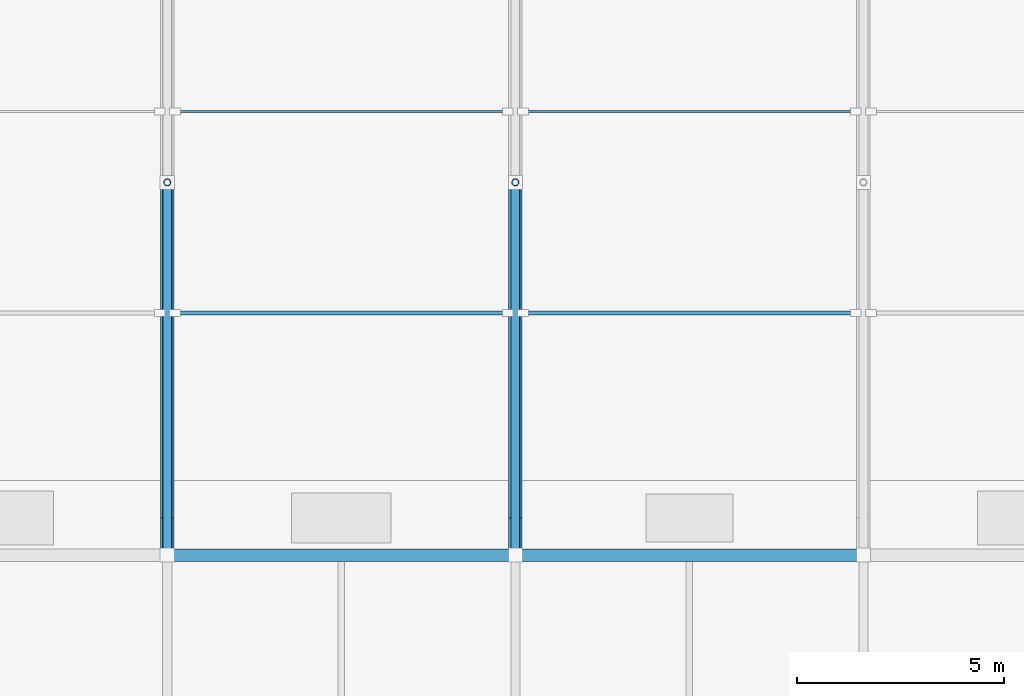
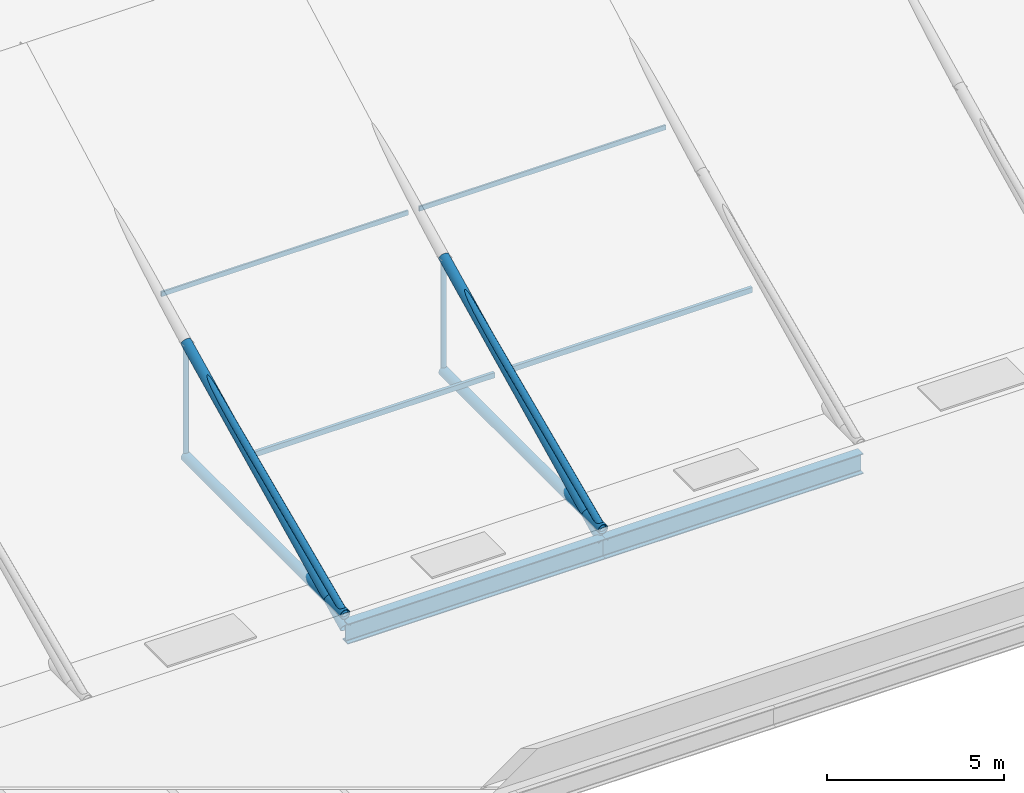
# One storey, part 10 of 38: 12 members, 2 beams.
"""IFC4 building model written with IfcOpenShell, lengths in metres."""

from ifc_helpers import new_model, si_unit, direction, frame, origin, origin_2d, place, context, subcontext, project, spatial, hollow_rectangle, hollow_circle, i_section, extrude, material, material_profile, profile_set, type_object, element, save


model = new_model("IFC4")

# Units and contexts
model_context = context("Model", 3, precision=1e-05, world=origin(), true_north=direction((0.0, 1.0)))
body_context = subcontext(model_context, "Body", "Model", "MODEL_VIEW")
ifc_project = project(units=[si_unit("LENGTHUNIT", "METRE"), si_unit("AREAUNIT", "SQUARE_METRE"), si_unit("VOLUMEUNIT", "CUBIC_METRE"), si_unit("PLANEANGLEUNIT", "RADIAN"), si_unit("MASSUNIT", "GRAM", prefix="KILO")], contexts=[model_context])

# Site, building, storey
site_placement = place(None, origin())
site = spatial("IfcSite", under=ifc_project, at=site_placement, CompositionType="ELEMENT")
building_placement = place(site_placement, origin())
building = spatial("IfcBuilding", under=site, at=building_placement, Name="Veltarok Museum of Natural Sciences", CompositionType="ELEMENT")
storey_placement = place(building_placement, frame((0.0, 0.0, 31.199951171875)))
storey = spatial("IfcBuildingStorey", under=building, at=storey_placement, Name="RF", CompositionType="ELEMENT", Elevation=31.199951171875)

# Members
ifc_material_1 = material(Name="Steel S355J2", Category="steel")
ifc_material_profile_1 = material_profile(ifc_material_1, hollow_rectangle(XDim=0.10009765625, YDim=0.179931640625, WallThickness=0.008056640625, at=origin_2d()), Name="RHS 180x100x8")
ifc_profile_set_1 = profile_set([ifc_material_profile_1], Name="Steel S355J2")
member_type_1 = type_object("IfcMemberType", Name="Heavy Valley Roof Purlin RHS 180x100x8", PredefinedType="PURLIN", material=ifc_profile_set_1)
for number, where, z_axis, x_axis, name in (
    (1, (65.3798828125, 41.85009765625, -3.950439453125), (1.0, 0.0, 0.0), (0.0, 1.0, 0.0), "Sawtooth Purlin 8-9 M1"),
    (2, (73.780029296875, 41.85009765625, -3.950439453125), (1.0, 0.0, 0.0), (0.0, 1.0, 0.0), "Sawtooth Purlin 9-10 M1"),
):
    element("IfcMember", number, at=place(storey_placement, frame(where, z_axis=z_axis, x_axis=x_axis)), inside=storey, type_object=member_type_1, Name=name, PredefinedType="PURLIN", context=body_context, shape_type="SweptSolid", body=[
        extrude(hollow_rectangle(XDim=0.10009765625, YDim=0.179931640625, WallThickness=0.008056640625, at=origin_2d()), origin(), (0.0, 0.0, 1.0), 8.0400390625),
    ])

# Beams
ifc_material_profile_2 = material_profile(ifc_material_1, i_section(OverallWidth=0.300048828125, OverallDepth=0.699951171875, WebThickness=0.01708984375, FlangeThickness=0.031982421875, FilletRadius=0.027099609375, at=origin_2d()), Name="HEB 700")
ifc_profile_set_2 = profile_set([ifc_material_profile_2], Name="Steel S355J2")
beam_type = type_object("IfcBeamType", Name="Long-Span Hall Girder HEB 700", PredefinedType="BEAM", material=ifc_profile_set_2)
beam_1_placement = place(storey_placement, frame((65.199951171875, 36.0, -6.389892578125), z_axis=(1.0, 0.0, 0.0), x_axis=(0.0, 1.0, 0.0)))
element("IfcBeam", 3, at=beam_1_placement, inside=storey, type_object=beam_type, Name="Sawtooth Valley Girder 8-9 Y=36.0", PredefinedType="BEAM", context=body_context, shape_type="SweptSolid", body=[
    extrude(i_section(OverallWidth=0.300048828125, OverallDepth=0.699951171875, WebThickness=0.01708984375, FlangeThickness=0.031982421875, FilletRadius=0.027099609375, at=origin_2d()), origin(), (0.0, 0.0, 1.0), 8.400146484375),
])
beam_2_placement = place(storey_placement, frame((73.60009765625, 36.0, -6.389892578125), z_axis=(1.0, 0.0, 0.0), x_axis=(0.0, 1.0, 0.0)))
element("IfcBeam", 4, at=beam_2_placement, inside=storey, type_object=beam_type, Name="Sawtooth Valley Girder 9-10 Y=36.0", PredefinedType="BEAM", context=body_context, shape_type="SweptSolid", body=[
    extrude(i_section(OverallWidth=0.300048828125, OverallDepth=0.699951171875, WebThickness=0.01708984375, FlangeThickness=0.031982421875, FilletRadius=0.027099609375, at=origin_2d()), origin(), (0.0, 0.0, 1.0), 8.39990234375),
])

# Members
ifc_material_profile_3 = material_profile(ifc_material_1, hollow_rectangle(XDim=0.06005859375, YDim=0.159912109375, WallThickness=0.0048828125, at=origin_2d()), Name="RHS 160x60x5")
ifc_profile_set_3 = profile_set([ifc_material_profile_3], Name="Steel S355J2")
member_type_2 = type_object("IfcMemberType", Name="Sawtooth Roof Purlin RHS 160x60x5", PredefinedType="PURLIN", material=ifc_profile_set_3)
for number, where, z_axis, x_axis, name in (
    (5, (65.3798828125, 46.7099609375, -1.310302734375), (1.0, 0.0, 0.0), (0.0, 1.0, 0.0), "Sawtooth Purlin 8-9 M1"),
    (6, (73.780029296875, 46.7099609375, -1.310302734375), (1.0, 0.0, 0.0), (0.0, 1.0, 0.0), "Sawtooth Purlin 9-10 M1"),
):
    element("IfcMember", number, at=place(storey_placement, frame(where, z_axis=z_axis, x_axis=x_axis)), inside=storey, type_object=member_type_2, Name=name, PredefinedType="PURLIN", context=body_context, shape_type="SweptSolid", body=[
        extrude(hollow_rectangle(XDim=0.06005859375, YDim=0.159912109375, WallThickness=0.0048828125, at=origin_2d()), origin(), (0.0, 0.0, 1.0), 8.0400390625),
    ])
ifc_material_2 = material(Name="Oxide-red painted Steel S355J2", Category="steel")
ifc_material_profile_4 = material_profile(ifc_material_2, hollow_circle(Radius=0.161865234375, WallThickness=0.01611328125, at=origin_2d()), Name="CHS 323.9x16")
ifc_profile_set_4 = profile_set([ifc_material_profile_4], Name="Oxide-red painted Steel S355J2")
member_type_3 = type_object("IfcMemberType", Name="Sawtooth Truss Chord CHS 323.9x16", PredefinedType="CHORD", material=ifc_profile_set_4)
member_1_placement = place(storey_placement, frame((65.199951171875, 36.0, -5.800048828125), z_axis=(0.0, 1.0, 0.0), x_axis=(-1.0, 0.0, 0.0)))
element("IfcMember", 7, at=member_1_placement, inside=storey, type_object=member_type_3, Name="Roof Truss Bottom Chord 8 M1", PredefinedType="CHORD", context=body_context, shape_type="SweptSolid", body=[
    extrude(hollow_circle(Radius=0.161865234375, WallThickness=0.01611328125, at=origin_2d()), origin(), (0.0, 0.0, 1.0), 9.0),
])
member_2_placement = place(storey_placement, frame((65.199951171875, 36.0, -6.25), z_axis=(0.0, 0.898378591281, 0.43922193334), x_axis=(-1.0, 0.0, 0.0)))
element("IfcMember", 8, at=member_2_placement, inside=storey, type_object=member_type_3, Name="Roof Truss Top Chord 8 M1", PredefinedType="CHORD", context=body_context, shape_type="SweptSolid", body=[
    extrude(hollow_circle(Radius=0.161865234375, WallThickness=0.01611328125, at=origin_2d()), origin(), (0.0, 0.0, 1.0), 10.01806640625),
])
member_3_placement = place(storey_placement, frame((73.60009765625, 36.0, -5.800048828125), z_axis=(0.0, 1.0, 0.0), x_axis=(-1.0, 0.0, 0.0)))
element("IfcMember", 9, at=member_3_placement, inside=storey, type_object=member_type_3, Name="Roof Truss Bottom Chord 9 M1", PredefinedType="CHORD", context=body_context, shape_type="SweptSolid", body=[
    extrude(hollow_circle(Radius=0.161865234375, WallThickness=0.01611328125, at=origin_2d()), origin(), (0.0, 0.0, 1.0), 9.0),
])
member_4_placement = place(storey_placement, frame((73.60009765625, 36.0, -6.25), z_axis=(0.0, 0.898378591281, 0.43922193334), x_axis=(-1.0, 0.0, 0.0)))
element("IfcMember", 10, at=member_4_placement, inside=storey, type_object=member_type_3, Name="Roof Truss Top Chord 9 M1", PredefinedType="CHORD", context=body_context, shape_type="SweptSolid", body=[
    extrude(hollow_circle(Radius=0.161865234375, WallThickness=0.01611328125, at=origin_2d()), origin(), (0.0, 0.0, 1.0), 10.01806640625),
])
ifc_material_profile_5 = material_profile(ifc_material_2, hollow_circle(Radius=0.084228515625, WallThickness=0.008056640625, at=origin_2d()), Name="CHS 168.3x8")
ifc_profile_set_5 = profile_set([ifc_material_profile_5], Name="Oxide-red painted Steel S355J2")
member_type_4 = type_object("IfcMemberType", Name="Sawtooth Truss Vertical Strut CHS 168.3x8", PredefinedType="STRUT", material=ifc_profile_set_5)
for number, where, z_axis, x_axis, name in (
    (11, (65.199951171875, 45.0, -5.800048828125), (0.0, 0.0, 1.0), (1.0, 0.0, 0.0), "Roof Truss Strut 8 M1"),
    (12, (73.60009765625, 45.0, -5.800048828125), (0.0, 0.0, 1.0), (1.0, 0.0, 0.0), "Roof Truss Strut 9 M1"),
):
    element("IfcMember", number, at=place(storey_placement, frame(where, z_axis=z_axis, x_axis=x_axis)), inside=storey, type_object=member_type_4, Name=name, PredefinedType="STRUT", context=body_context, shape_type="SweptSolid", body=[
        extrude(hollow_circle(Radius=0.084228515625, WallThickness=0.008056640625, at=origin_2d()), origin(), (0.0, 0.0, 1.0), 3.9501953125),
    ])
ifc_material_profile_6 = material_profile(ifc_material_2, hollow_circle(Radius=0.109619140625, WallThickness=0.010009765625, at=origin_2d()), Name="CHS 219.1x10")
ifc_profile_set_6 = profile_set([ifc_material_profile_6], Name="Oxide-red painted Steel S355J2")
member_type_5 = type_object("IfcMemberType", Name="Sawtooth Truss Web Diagonal CHS 219.1x10", PredefinedType="BRACE", material=ifc_profile_set_6)
for number, where, z_axis, x_axis, name in (
    (13, (65.199951171875, 36.0, -5.800048828125), (0.0, 0.915682381641, 0.401902694633), (-1.0, 0.0, 0.0), "Roof Truss Diagonal 8 M1"),
    (14, (73.60009765625, 36.0, -5.800048828125), (0.0, 0.915682381641, 0.401902694633), (-1.0, 0.0, 0.0), "Roof Truss Diagonal 9 M1"),
):
    element("IfcMember", number, at=place(storey_placement, frame(where, z_axis=z_axis, x_axis=x_axis)), inside=storey, type_object=member_type_5, Name=name, PredefinedType="BRACE", context=body_context, shape_type="SweptSolid", body=[
        extrude(hollow_circle(Radius=0.109619140625, WallThickness=0.010009765625, at=origin_2d()), origin(), (0.0, 0.0, 1.0), 9.828857421875),
    ])

save(model, "model.ifc")
